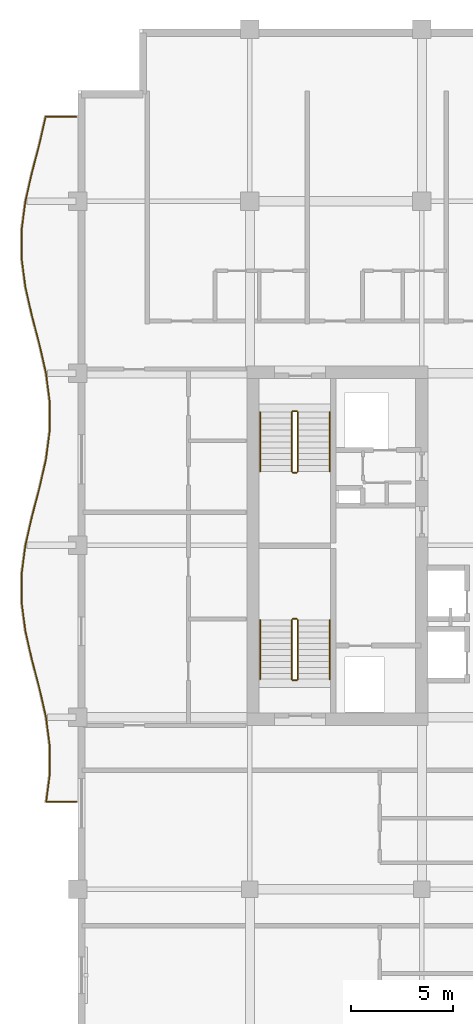
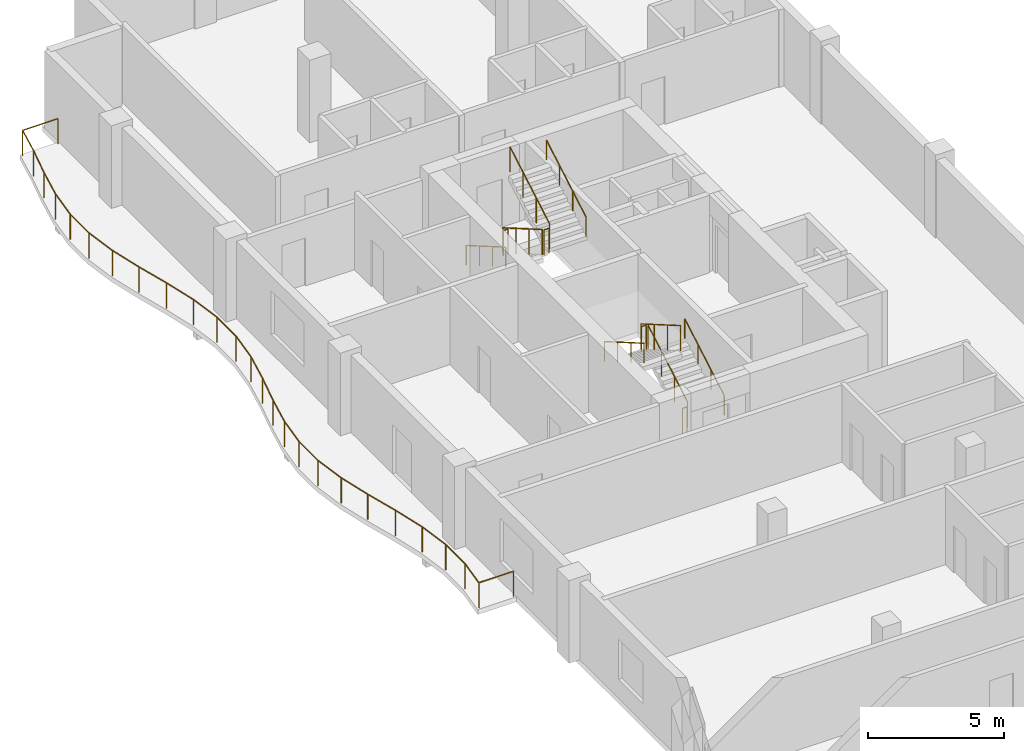
# One storey, part 12 of 12: 13 railings.
"""IFC4 building model written with IfcOpenShell, lengths in metres."""

from ifc_helpers import new_model, si_unit, direction, frame, origin, origin_2d, place, context, subcontext, project, spatial, circle, extrude, material, type_object, element, save


model = new_model("IFC4")

# Units and contexts
model_context = context("Model", 3, precision=1e-05, world=origin(), true_north=direction((0.0, 1.0)))
body_context = subcontext(model_context, "Body", "Model", "MODEL_VIEW")
ifc_project = project(units=[si_unit("LENGTHUNIT", "METRE"), si_unit("AREAUNIT", "SQUARE_METRE"), si_unit("VOLUMEUNIT", "CUBIC_METRE"), si_unit("PLANEANGLEUNIT", "RADIAN"), si_unit("MASSUNIT", "GRAM", prefix="KILO")], contexts=[model_context])

# Site, building, storey
site_placement = place(None, origin())
site = spatial("IfcSite", under=ifc_project, at=site_placement, CompositionType="ELEMENT")
building_placement = place(site_placement, origin())
building = spatial("IfcBuilding", under=site, at=building_placement, Name="Koriwani Terraces Tower", CompositionType="ELEMENT")
storey_placement = place(building_placement, frame((0.0, 0.0, 263.800048828125)))
storey = spatial("IfcBuildingStorey", under=building, at=storey_placement, Name="L65", CompositionType="ELEMENT", Elevation=263.800048828125)

# Railings
ifc_material = material(Name="Steel ASTM A572 Grade 50", Category="steel")
railing_type_1 = type_object("IfcRailingType", Name="GUARD_BALUSTRADE_1150", PredefinedType="BALUSTRADE", material=ifc_material)
railing_1_placement = place(storey_placement, frame((8.320068359375, 37.8798828125, 0.0)))
element("IfcRailing", 1, at=railing_1_placement, inside=storey, type_object=railing_type_1, Name="L65 Balcony Perimeter Safety Balustrade (W)", PredefinedType="BALUSTRADE", context=body_context, shape_type="SweptSolid", body=[
    extrude(circle(Radius=0.02392578125, at=origin_2d()), frame((0.0, 0.0, 1.1259765625), z_axis=(-1.0, 0.0, 0.0), x_axis=(0.0, -1.0, 0.0)), (0.0, 0.0, 1.0), 1.466796875),
    extrude(circle(Radius=0.02392578125, at=origin_2d()), frame((-1.466796875, 0.0, 1.1259765625), z_axis=(0.129787776847, 0.991541795882, 0.0), x_axis=(-0.991541795882, 0.129787776847, 0.0)), (0.0, 0.0, 1.0), 1.326171875),
    extrude(circle(Radius=0.02392578125, at=origin_2d()), frame((-1.294677734375, 1.31494140625, 1.1259765625), z_axis=(0.0, 1.0, 0.0), x_axis=(-1.0, 0.0, 0.0)), (0.0, 0.0, 1.0), 1.410400390625),
    extrude(circle(Radius=0.02392578125, at=origin_2d()), frame((-1.294677734375, 2.725341796875, 1.1259765625), z_axis=(-0.12989004906, 0.991528403605, 0.0), x_axis=(-0.991528403605, -0.12989004906, 0.0)), (0.0, 0.0, 1.0), 1.4208984375),
    extrude(circle(Radius=0.02392578125, at=origin_2d()), frame((-1.479248046875, 4.13427734375, 1.1259765625), z_axis=(-0.221665052023, 0.975122866469, 0.0), x_axis=(-0.975122866469, -0.221665052023, 0.0)), (0.0, 0.0, 1.0), 1.440673828125),
    extrude(circle(Radius=0.02392578125, at=origin_2d()), frame((-1.798583984375, 5.5390625, 1.1259765625), z_axis=(-0.253986877518, 0.967207664387, 0.0), x_axis=(-0.967207664387, -0.253986877518, 0.0)), (0.0, 0.0, 1.0), 1.447509765625),
    extrude(circle(Radius=0.02392578125, at=origin_2d()), frame((-2.166259765625, 6.939208984375, 1.1259765625), z_axis=(-0.221517834068, 0.975156320387, 0.0), x_axis=(-0.975156320387, -0.221517834068, 0.0)), (0.0, 0.0, 1.0), 1.4306640625),
    extrude(circle(Radius=0.02392578125, at=origin_2d()), frame((-2.483154296875, 8.334228515625, 1.1259765625), z_axis=(-0.130157426935, 0.991493340479, 0.0), x_axis=(-0.991493340479, -0.130157426935, 0.0)), (0.0, 0.0, 1.0), 1.403076171875),
    extrude(circle(Radius=0.02392578125, at=origin_2d()), frame((-2.665771484375, 9.725341796875, 1.1259765625), z_axis=(0.0, 1.0, 0.0), x_axis=(-1.0, 0.0, 0.0)), (0.0, 0.0, 1.0), 1.3896484375),
    extrude(circle(Radius=0.02392578125, at=origin_2d()), frame((-2.665771484375, 11.114990234375, 1.1259765625), z_axis=(0.130157426935, 0.991493340479, 0.0), x_axis=(-0.991493340479, 0.130157426935, 0.0)), (0.0, 0.0, 1.0), 1.403076171875),
    extrude(circle(Radius=0.02392578125, at=origin_2d()), frame((-2.483154296875, 12.506103515625, 1.1259765625), z_axis=(0.221517834068, 0.975156320387, 0.0), x_axis=(-0.975156320387, 0.221517834068, 0.0)), (0.0, 0.0, 1.0), 1.4306640625),
    extrude(circle(Radius=0.02392578125, at=origin_2d()), frame((-2.166259765625, 13.901123046875, 1.1259765625), z_axis=(0.254028314271, 0.967196782226, 0.0), x_axis=(-0.967196782226, 0.254028314271, 0.0)), (0.0, 0.0, 1.0), 1.447265625),
    extrude(circle(Radius=0.02392578125, at=origin_2d()), frame((-1.798583984375, 15.301025390625, 1.1259765625), z_axis=(0.221628427149, 0.975131191317, 0.0), x_axis=(-0.975131191317, 0.221628427149, 0.0)), (0.0, 0.0, 1.0), 1.44091796875),
    extrude(circle(Radius=0.02392578125, at=origin_2d()), frame((-1.479248046875, 16.7060546875, 1.1259765625), z_axis=(0.12989004906, 0.991528403605, 0.0), x_axis=(-0.991528403605, 0.12989004906, 0.0)), (0.0, 0.0, 1.0), 1.4208984375),
    extrude(circle(Radius=0.02392578125, at=origin_2d()), frame((-1.294677734375, 18.114990234375, 1.1259765625), z_axis=(0.0, 1.0, 0.0), x_axis=(-1.0, 0.0, 0.0)), (0.0, 0.0, 1.0), 1.410400390625),
    extrude(circle(Radius=0.02392578125, at=origin_2d()), frame((-1.294677734375, 19.525390625, 1.1259765625), z_axis=(-0.12989004906, 0.991528403605, 0.0), x_axis=(-0.991528403605, -0.12989004906, 0.0)), (0.0, 0.0, 1.0), 1.4208984375),
    extrude(circle(Radius=0.02392578125, at=origin_2d()), frame((-1.479248046875, 20.934326171875, 1.1259765625), z_axis=(-0.221665052023, 0.975122866469, 0.0), x_axis=(-0.975122866469, -0.221665052023, 0.0)), (0.0, 0.0, 1.0), 1.440673828125),
    extrude(circle(Radius=0.02392578125, at=origin_2d()), frame((-1.798583984375, 22.339111328125, 1.1259765625), z_axis=(-0.254028314271, 0.967196782226, 0.0), x_axis=(-0.967196782226, -0.254028314271, 0.0)), (0.0, 0.0, 1.0), 1.447265625),
    extrude(circle(Radius=0.02392578125, at=origin_2d()), frame((-2.166259765625, 23.739013671875, 1.1259765625), z_axis=(-0.221480974814, 0.975164692652, 0.0), x_axis=(-0.975164692652, -0.221480974814, 0.0)), (0.0, 0.0, 1.0), 1.430908203125),
    extrude(circle(Radius=0.02392578125, at=origin_2d()), frame((-2.483154296875, 25.13427734375, 1.1259765625), z_axis=(-0.130157426935, 0.991493340479, 0.0), x_axis=(-0.991493340479, -0.130157426935, 0.0)), (0.0, 0.0, 1.0), 1.403076171875),
    extrude(circle(Radius=0.02392578125, at=origin_2d()), frame((-2.665771484375, 26.525390625, 1.1259765625), z_axis=(0.0, 1.0, 0.0), x_axis=(-1.0, 0.0, 0.0)), (0.0, 0.0, 1.0), 1.3896484375),
    extrude(circle(Radius=0.02392578125, at=origin_2d()), frame((-2.665771484375, 27.9150390625, 1.1259765625), z_axis=(0.130179886452, 0.991490391866, 0.0), x_axis=(-0.991490391866, 0.130179886452, 0.0)), (0.0, 0.0, 1.0), 1.40283203125),
    extrude(circle(Radius=0.02392578125, at=origin_2d()), frame((-2.483154296875, 29.305908203125, 1.1259765625), z_axis=(0.221480974814, 0.975164692652, 0.0), x_axis=(-0.975164692652, 0.221480974814, 0.0)), (0.0, 0.0, 1.0), 1.430908203125),
    extrude(circle(Radius=0.02392578125, at=origin_2d()), frame((-2.166259765625, 30.701171875, 1.1259765625), z_axis=(0.254028314271, 0.967196782226, 0.0), x_axis=(-0.967196782226, 0.254028314271, 0.0)), (0.0, 0.0, 1.0), 1.447265625),
    extrude(circle(Radius=0.02392578125, at=origin_2d()), frame((-1.798583984375, 32.10107421875, 1.1259765625), z_axis=(0.221690258665, 0.97511713615, 0.0), x_axis=(-0.97511713615, 0.221690258665, 0.0)), (0.0, 0.0, 1.0), 1.373291015625),
    extrude(circle(Radius=0.02392578125, at=origin_2d()), frame((-1.494140625, 33.440185546875, 1.1259765625), z_axis=(1.0, 0.0, 0.0), x_axis=(0.0, 1.0, 0.0)), (0.0, 0.0, 1.0), 1.494140625),
    extrude(circle(Radius=0.02099609375, at=origin_2d()), origin(), (0.0, 0.0, 1.0), 1.101806640625),
    extrude(circle(Radius=0.02099609375, at=origin_2d()), frame((-1.466796875, 0.0, 0.0)), (0.0, 0.0, 1.0), 1.101806640625),
    extrude(circle(Radius=0.02099609375, at=origin_2d()), frame((-1.294677734375, 1.31494140625, 0.0)), (0.0, 0.0, 1.0), 1.101806640625),
    extrude(circle(Radius=0.02099609375, at=origin_2d()), frame((-1.294677734375, 2.725341796875, 0.0)), (0.0, 0.0, 1.0), 1.101806640625),
    extrude(circle(Radius=0.02099609375, at=origin_2d()), frame((-1.479248046875, 4.13427734375, 0.0)), (0.0, 0.0, 1.0), 1.101806640625),
    extrude(circle(Radius=0.02099609375, at=origin_2d()), frame((-1.798583984375, 5.5390625, 0.0)), (0.0, 0.0, 1.0), 1.101806640625),
    extrude(circle(Radius=0.02099609375, at=origin_2d()), frame((-2.166259765625, 6.939208984375, 0.0)), (0.0, 0.0, 1.0), 1.101806640625),
    extrude(circle(Radius=0.02099609375, at=origin_2d()), frame((-2.483154296875, 8.334228515625, 0.0)), (0.0, 0.0, 1.0), 1.101806640625),
    extrude(circle(Radius=0.02099609375, at=origin_2d()), frame((-2.665771484375, 9.725341796875, 0.0)), (0.0, 0.0, 1.0), 1.101806640625),
    extrude(circle(Radius=0.02099609375, at=origin_2d()), frame((-2.665771484375, 11.114990234375, 0.0)), (0.0, 0.0, 1.0), 1.101806640625),
    extrude(circle(Radius=0.02099609375, at=origin_2d()), frame((-2.483154296875, 12.506103515625, 0.0)), (0.0, 0.0, 1.0), 1.101806640625),
    extrude(circle(Radius=0.02099609375, at=origin_2d()), frame((-2.166259765625, 13.901123046875, 0.0)), (0.0, 0.0, 1.0), 1.101806640625),
    extrude(circle(Radius=0.02099609375, at=origin_2d()), frame((-1.798583984375, 15.301025390625, 0.0)), (0.0, 0.0, 1.0), 1.101806640625),
    extrude(circle(Radius=0.02099609375, at=origin_2d()), frame((-1.479248046875, 16.7060546875, 0.0)), (0.0, 0.0, 1.0), 1.101806640625),
    extrude(circle(Radius=0.02099609375, at=origin_2d()), frame((-1.294677734375, 18.114990234375, 0.0)), (0.0, 0.0, 1.0), 1.101806640625),
    extrude(circle(Radius=0.02099609375, at=origin_2d()), frame((-1.294677734375, 19.525390625, 0.0)), (0.0, 0.0, 1.0), 1.101806640625),
    extrude(circle(Radius=0.02099609375, at=origin_2d()), frame((-1.479248046875, 20.934326171875, 0.0)), (0.0, 0.0, 1.0), 1.101806640625),
    extrude(circle(Radius=0.02099609375, at=origin_2d()), frame((-1.798583984375, 22.339111328125, 0.0)), (0.0, 0.0, 1.0), 1.101806640625),
    extrude(circle(Radius=0.02099609375, at=origin_2d()), frame((-2.166259765625, 23.739013671875, 0.0)), (0.0, 0.0, 1.0), 1.101806640625),
    extrude(circle(Radius=0.02099609375, at=origin_2d()), frame((-2.483154296875, 25.13427734375, 0.0)), (0.0, 0.0, 1.0), 1.101806640625),
    extrude(circle(Radius=0.02099609375, at=origin_2d()), frame((-2.665771484375, 26.525390625, 0.0)), (0.0, 0.0, 1.0), 1.101806640625),
    extrude(circle(Radius=0.02099609375, at=origin_2d()), frame((-2.665771484375, 27.9150390625, 0.0)), (0.0, 0.0, 1.0), 1.101806640625),
    extrude(circle(Radius=0.02099609375, at=origin_2d()), frame((-2.483154296875, 29.305908203125, 0.0)), (0.0, 0.0, 1.0), 1.101806640625),
    extrude(circle(Radius=0.02099609375, at=origin_2d()), frame((-2.166259765625, 30.701171875, 0.0)), (0.0, 0.0, 1.0), 1.101806640625),
    extrude(circle(Radius=0.02099609375, at=origin_2d()), frame((-1.798583984375, 32.10107421875, 0.0)), (0.0, 0.0, 1.0), 1.101806640625),
    extrude(circle(Radius=0.02099609375, at=origin_2d()), frame((-1.494140625, 33.440185546875, 0.0)), (0.0, 0.0, 1.0), 1.101806640625),
    extrude(circle(Radius=0.02099609375, at=origin_2d()), frame((0.0, 33.440185546875, 0.0)), (0.0, 0.0, 1.0), 1.101806640625),
])
railing_type_2 = type_object("IfcRailingType", Name="GUARD_STAIR_WELL_1120", PredefinedType="GUARDRAIL", material=ifc_material)
railing_2_placement = place(storey_placement, frame((19.14990234375, 43.85009765625, 0.168212890625)))
element("IfcRailing", 2, at=railing_2_placement, inside=storey, type_object=railing_type_2, Name="L65 ST-W1 stair guard 1", PredefinedType="GUARDRAIL", context=body_context, shape_type="SweptSolid", body=[
    extrude(circle(Radius=0.02392578125, at=origin_2d()), frame((0.0, 0.0, 1.1259765625), z_axis=(0.0, 0.86507038078, 0.501650512107), x_axis=(-1.0, 0.0, 0.0)), (0.0, 0.0, 1.0), 3.352294921875),
    extrude(circle(Radius=0.02099609375, at=origin_2d()), origin(), (0.0, 0.0, 1.0), 1.101806640625),
    extrude(circle(Radius=0.02099609375, at=origin_2d()), frame((0.0, 0.966552734375, 0.560546875)), (0.0, 0.0, 1.0), 1.101806640625),
    extrude(circle(Radius=0.02099609375, at=origin_2d()), frame((0.0, 1.933349609375, 1.12109375)), (0.0, 0.0, 1.0), 1.101806640625),
    extrude(circle(Radius=0.02099609375, at=origin_2d()), frame((0.0, 2.89990234375, 1.681640625)), (0.0, 0.0, 1.0), 1.101806640625),
])
railing_3_placement = place(storey_placement, frame((19.10009765625, 46.800048828125, 1.849853515625)))
element("IfcRailing", 3, at=railing_3_placement, inside=storey, type_object=railing_type_2, Name="L65 ST-W1 stair guard 2", PredefinedType="GUARDRAIL", context=body_context, shape_type="SweptSolid", body=[
    extrude(circle(Radius=0.02392578125, at=origin_2d()), frame((0.0, 0.0, 1.1259765625), z_axis=(-1.0, 0.0, 0.0), x_axis=(0.0, -1.0, 0.0)), (0.0, 0.0, 1.0), 0.2001953125),
    extrude(circle(Radius=0.02099609375, at=origin_2d()), origin(), (0.0, 0.0, 1.0), 1.101806640625),
    extrude(circle(Radius=0.02099609375, at=origin_2d()), frame((-0.2001953125, 0.0, 0.0)), (0.0, 0.0, 1.0), 1.101806640625),
])
railing_4_placement = place(storey_placement, frame((18.85009765625, 46.75, 2.01806640625)))
element("IfcRailing", 4, at=railing_4_placement, inside=storey, type_object=railing_type_2, Name="L65 ST-W1 stair guard 3", PredefinedType="GUARDRAIL", context=body_context, shape_type="SweptSolid", body=[
    extrude(circle(Radius=0.02392578125, at=origin_2d()), frame((0.0, 0.0, 1.1259765625), z_axis=(0.0, -0.865038774852, 0.501705010941), x_axis=(1.0, 0.0, 0.0)), (0.0, 0.0, 1.0), 3.352294921875),
    extrude(circle(Radius=0.02099609375, at=origin_2d()), origin(), (0.0, 0.0, 1.0), 1.101806640625),
    extrude(circle(Radius=0.02099609375, at=origin_2d()), frame((0.0, -0.966552734375, 0.560546875)), (0.0, 0.0, 1.0), 1.101806640625),
    extrude(circle(Radius=0.02099609375, at=origin_2d()), frame((0.0, -1.933349609375, 1.121337890625)), (0.0, 0.0, 1.0), 1.101806640625),
    extrude(circle(Radius=0.02099609375, at=origin_2d()), frame((0.0, -2.89990234375, 1.681884765625)), (0.0, 0.0, 1.0), 1.101806640625),
])
railing_5_placement = place(storey_placement, frame((19.10009765625, 43.800048828125, 0.0)))
element("IfcRailing", 5, at=railing_5_placement, inside=storey, type_object=railing_type_2, Name="L65 ST-W1 stair guard 4", PredefinedType="GUARDRAIL", context=body_context, shape_type="SweptSolid", body=[
    extrude(circle(Radius=0.02392578125, at=origin_2d()), frame((0.0, 0.0, 1.1259765625), z_axis=(-1.0, 0.0, 0.0), x_axis=(0.0, -1.0, 0.0)), (0.0, 0.0, 1.0), 0.2001953125),
    extrude(circle(Radius=0.02099609375, at=origin_2d()), origin(), (0.0, 0.0, 1.0), 1.101806640625),
    extrude(circle(Radius=0.02099609375, at=origin_2d()), frame((-0.2001953125, 0.0, 0.0)), (0.0, 0.0, 1.0), 1.101806640625),
])
railing_6_placement = place(storey_placement, frame((18.85009765625, 56.89990234375, 0.168212890625)))
element("IfcRailing", 6, at=railing_6_placement, inside=storey, type_object=railing_type_2, Name="L65 ST-W2 stair guard 1", PredefinedType="GUARDRAIL", context=body_context, shape_type="SweptSolid", body=[
    extrude(circle(Radius=0.02392578125, at=origin_2d()), frame((0.0, 0.0, 1.1259765625), z_axis=(0.0, -0.86507038078, 0.501650512107), x_axis=(1.0, 0.0, 0.0)), (0.0, 0.0, 1.0), 3.352294921875),
    extrude(circle(Radius=0.02099609375, at=origin_2d()), origin(), (0.0, 0.0, 1.0), 1.101806640625),
    extrude(circle(Radius=0.02099609375, at=origin_2d()), frame((0.0, -0.966552734375, 0.560546875)), (0.0, 0.0, 1.0), 1.101806640625),
    extrude(circle(Radius=0.02099609375, at=origin_2d()), frame((0.0, -1.933349609375, 1.12109375)), (0.0, 0.0, 1.0), 1.101806640625),
    extrude(circle(Radius=0.02099609375, at=origin_2d()), frame((0.0, -2.89990234375, 1.681640625)), (0.0, 0.0, 1.0), 1.101806640625),
])
railing_7_placement = place(storey_placement, frame((18.89990234375, 53.949951171875, 1.849853515625)))
element("IfcRailing", 7, at=railing_7_placement, inside=storey, type_object=railing_type_2, Name="L65 ST-W2 stair guard 2", PredefinedType="GUARDRAIL", context=body_context, shape_type="SweptSolid", body=[
    extrude(circle(Radius=0.02392578125, at=origin_2d()), frame((0.0, 0.0, 1.1259765625), z_axis=(1.0, 0.0, 0.0), x_axis=(0.0, 1.0, 0.0)), (0.0, 0.0, 1.0), 0.2001953125),
    extrude(circle(Radius=0.02099609375, at=origin_2d()), origin(), (0.0, 0.0, 1.0), 1.101806640625),
    extrude(circle(Radius=0.02099609375, at=origin_2d()), frame((0.2001953125, 0.0, 0.0)), (0.0, 0.0, 1.0), 1.101806640625),
])
railing_8_placement = place(storey_placement, frame((19.14990234375, 54.0, 2.01806640625)))
element("IfcRailing", 8, at=railing_8_placement, inside=storey, type_object=railing_type_2, Name="L65 ST-W2 stair guard 3", PredefinedType="GUARDRAIL", context=body_context, shape_type="SweptSolid", body=[
    extrude(circle(Radius=0.02392578125, at=origin_2d()), frame((0.0, 0.0, 1.1259765625), z_axis=(0.0, 0.865038774852, 0.501705010941), x_axis=(-1.0, 0.0, 0.0)), (0.0, 0.0, 1.0), 3.352294921875),
    extrude(circle(Radius=0.02099609375, at=origin_2d()), origin(), (0.0, 0.0, 1.0), 1.101806640625),
    extrude(circle(Radius=0.02099609375, at=origin_2d()), frame((0.0, 0.966552734375, 0.560546875)), (0.0, 0.0, 1.0), 1.101806640625),
    extrude(circle(Radius=0.02099609375, at=origin_2d()), frame((0.0, 1.933349609375, 1.121337890625)), (0.0, 0.0, 1.0), 1.101806640625),
    extrude(circle(Radius=0.02099609375, at=origin_2d()), frame((0.0, 2.89990234375, 1.681884765625)), (0.0, 0.0, 1.0), 1.101806640625),
])
railing_9_placement = place(storey_placement, frame((18.89990234375, 56.949951171875, 0.0)))
element("IfcRailing", 9, at=railing_9_placement, inside=storey, type_object=railing_type_2, Name="L65 ST-W2 stair guard 4", PredefinedType="GUARDRAIL", context=body_context, shape_type="SweptSolid", body=[
    extrude(circle(Radius=0.02392578125, at=origin_2d()), frame((0.0, 0.0, 1.1259765625), z_axis=(1.0, 0.0, 0.0), x_axis=(0.0, 1.0, 0.0)), (0.0, 0.0, 1.0), 0.2001953125),
    extrude(circle(Radius=0.02099609375, at=origin_2d()), origin(), (0.0, 0.0, 1.0), 1.101806640625),
    extrude(circle(Radius=0.02099609375, at=origin_2d()), frame((0.2001953125, 0.0, 0.0)), (0.0, 0.0, 1.0), 1.101806640625),
])
railing_type_3 = type_object("IfcRailingType", Name="HANDRAIL_STAIR_920", PredefinedType="HANDRAIL", material=ifc_material)
railing_10_placement = place(storey_placement, frame((20.699951171875, 43.85009765625, 0.168212890625)))
element("IfcRailing", 10, at=railing_10_placement, inside=storey, type_object=railing_type_3, Name="L65 ST-W1 stair handrail 1", PredefinedType="HANDRAIL", context=body_context, shape_type="SweptSolid", body=[
    extrude(circle(Radius=0.02392578125, at=origin_2d()), frame((0.0, 0.0, 0.8759765625), z_axis=(0.0, 0.86507038078, 0.501650512107), x_axis=(-1.0, 0.0, 0.0)), (0.0, 0.0, 1.0), 3.352294921875),
    extrude(circle(Radius=0.02099609375, at=origin_2d()), origin(), (0.0, 0.0, 1.0), 0.851806640625),
    extrude(circle(Radius=0.02099609375, at=origin_2d()), frame((0.0, 0.966552734375, 0.560546875)), (0.0, 0.0, 1.0), 0.851806640625),
    extrude(circle(Radius=0.02099609375, at=origin_2d()), frame((0.0, 1.933349609375, 1.12109375)), (0.0, 0.0, 1.0), 0.851806640625),
    extrude(circle(Radius=0.02099609375, at=origin_2d()), frame((0.0, 2.89990234375, 1.681640625)), (0.0, 0.0, 1.0), 0.851806640625),
])
railing_11_placement = place(storey_placement, frame((17.300048828125, 46.75, 2.01806640625)))
element("IfcRailing", 11, at=railing_11_placement, inside=storey, type_object=railing_type_3, Name="L65 ST-W1 stair handrail 2", PredefinedType="HANDRAIL", context=body_context, shape_type="SweptSolid", body=[
    extrude(circle(Radius=0.02392578125, at=origin_2d()), frame((0.0, 0.0, 0.8759765625), z_axis=(0.0, -0.865038774852, 0.501705010941), x_axis=(1.0, 0.0, 0.0)), (0.0, 0.0, 1.0), 3.352294921875),
    extrude(circle(Radius=0.02099609375, at=origin_2d()), origin(), (0.0, 0.0, 1.0), 0.851806640625),
    extrude(circle(Radius=0.02099609375, at=origin_2d()), frame((0.0, -0.966552734375, 0.560546875)), (0.0, 0.0, 1.0), 0.851806640625),
    extrude(circle(Radius=0.02099609375, at=origin_2d()), frame((0.0, -1.933349609375, 1.121337890625)), (0.0, 0.0, 1.0), 0.851806640625),
    extrude(circle(Radius=0.02099609375, at=origin_2d()), frame((0.0, -2.89990234375, 1.681884765625)), (0.0, 0.0, 1.0), 0.851806640625),
])
railing_12_placement = place(storey_placement, frame((17.300048828125, 56.89990234375, 0.168212890625)))
element("IfcRailing", 12, at=railing_12_placement, inside=storey, type_object=railing_type_3, Name="L65 ST-W2 stair handrail 1", PredefinedType="HANDRAIL", context=body_context, shape_type="SweptSolid", body=[
    extrude(circle(Radius=0.02392578125, at=origin_2d()), frame((0.0, 0.0, 0.8759765625), z_axis=(0.0, -0.86507038078, 0.501650512107), x_axis=(1.0, 0.0, 0.0)), (0.0, 0.0, 1.0), 3.352294921875),
    extrude(circle(Radius=0.02099609375, at=origin_2d()), origin(), (0.0, 0.0, 1.0), 0.851806640625),
    extrude(circle(Radius=0.02099609375, at=origin_2d()), frame((0.0, -0.966552734375, 0.560546875)), (0.0, 0.0, 1.0), 0.851806640625),
    extrude(circle(Radius=0.02099609375, at=origin_2d()), frame((0.0, -1.933349609375, 1.12109375)), (0.0, 0.0, 1.0), 0.851806640625),
    extrude(circle(Radius=0.02099609375, at=origin_2d()), frame((0.0, -2.89990234375, 1.681640625)), (0.0, 0.0, 1.0), 0.851806640625),
])
railing_13_placement = place(storey_placement, frame((20.699951171875, 54.0, 2.01806640625)))
element("IfcRailing", 13, at=railing_13_placement, inside=storey, type_object=railing_type_3, Name="L65 ST-W2 stair handrail 2", PredefinedType="HANDRAIL", context=body_context, shape_type="SweptSolid", body=[
    extrude(circle(Radius=0.02392578125, at=origin_2d()), frame((0.0, 0.0, 0.8759765625), z_axis=(0.0, 0.865038774852, 0.501705010941), x_axis=(-1.0, 0.0, 0.0)), (0.0, 0.0, 1.0), 3.352294921875),
    extrude(circle(Radius=0.02099609375, at=origin_2d()), origin(), (0.0, 0.0, 1.0), 0.851806640625),
    extrude(circle(Radius=0.02099609375, at=origin_2d()), frame((0.0, 0.966552734375, 0.560546875)), (0.0, 0.0, 1.0), 0.851806640625),
    extrude(circle(Radius=0.02099609375, at=origin_2d()), frame((0.0, 1.933349609375, 1.121337890625)), (0.0, 0.0, 1.0), 0.851806640625),
    extrude(circle(Radius=0.02099609375, at=origin_2d()), frame((0.0, 2.89990234375, 1.681884765625)), (0.0, 0.0, 1.0), 0.851806640625),
])

save(model, "model.ifc")
